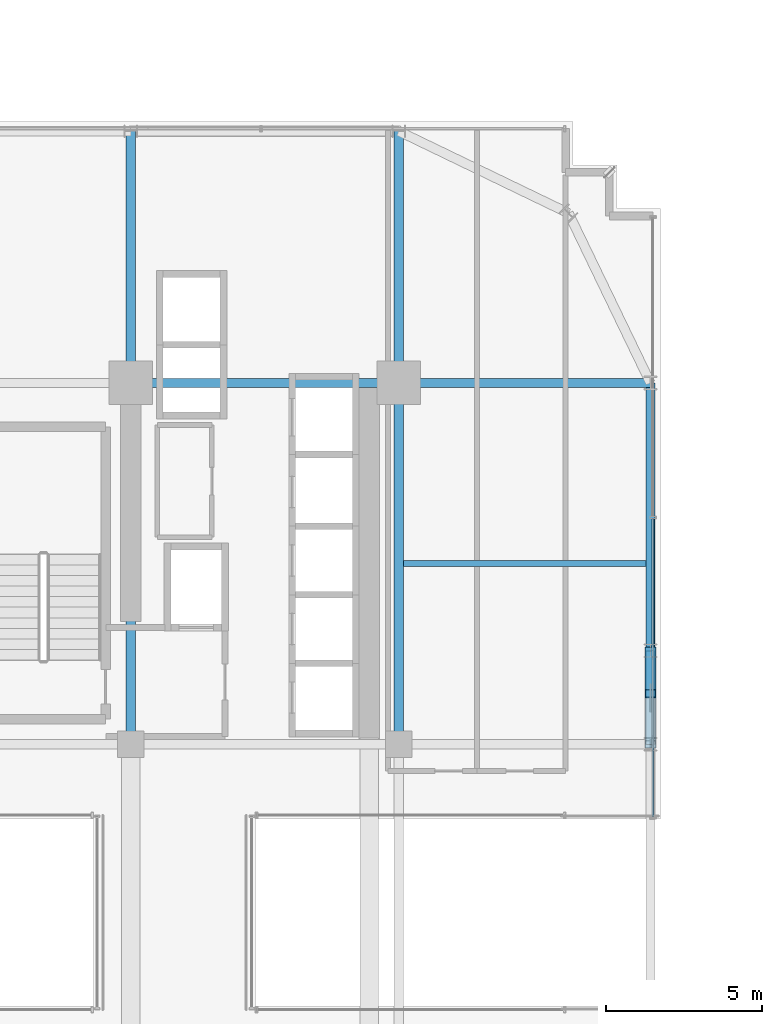
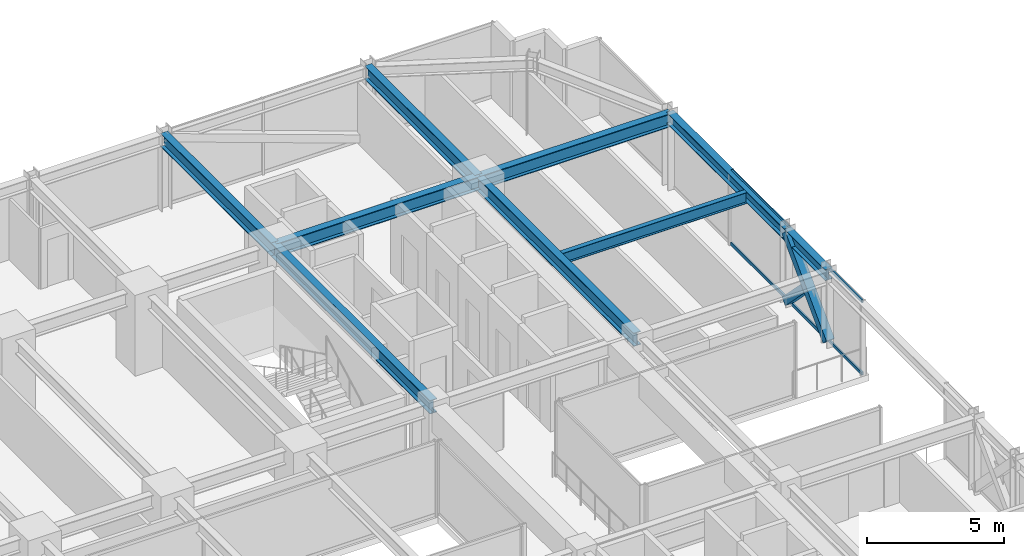
# One storey, part 30 of 47: 9 beams, 4 members, 1 element without a shape of its own.
"""IFC4 building model written with IfcOpenShell, lengths in metres."""

from ifc_helpers import new_model, si_unit, direction, frame, origin, origin_2d, place, context, subcontext, project, spatial, hollow_rectangle, i_section, extrude, source, transform, mapped, material, material_profile, profile_set, type_object, element, aggregate, save


model = new_model("IFC4")

# Units and contexts
model_context = context("Model", 3, precision=1e-05, world=origin(), true_north=direction((0.0, 1.0)))
body_context = subcontext(model_context, "Body", "Model", "MODEL_VIEW")
ifc_project = project(units=[si_unit("LENGTHUNIT", "METRE"), si_unit("AREAUNIT", "SQUARE_METRE"), si_unit("VOLUMEUNIT", "CUBIC_METRE"), si_unit("PLANEANGLEUNIT", "RADIAN"), si_unit("MASSUNIT", "GRAM", prefix="KILO")], contexts=[model_context])

# Site, building, storey
site_placement = place(None, origin())
site = spatial("IfcSite", under=ifc_project, at=site_placement, CompositionType="ELEMENT")
building_placement = place(site_placement, origin())
building = spatial("IfcBuilding", under=site, at=building_placement, Name="Nahalor Promenade Grand Hotel", CompositionType="ELEMENT")
storey_placement = place(building_placement, frame((0.0, 0.0, 68.89990234375)))
storey = spatial("IfcBuildingStorey", under=building, at=storey_placement, Name="L16", CompositionType="ELEMENT", Elevation=68.89990234375)

# Beams
ifc_material_1 = material(Name="Steel S355JR", Category="steel")
ifc_material_profile_1 = material_profile(ifc_material_1, i_section(OverallWidth=0.3, OverallDepth=0.6, WebThickness=0.0155, FlangeThickness=0.03, at=origin_2d()), Name="HEB 600")
ifc_profile_set_1 = profile_set([ifc_material_profile_1], Name="Steel S355JR")
beam_type_1 = type_object("IfcBeamType", Name="Beam-Girder-HEB600", PredefinedType="BEAM", material=ifc_profile_set_1)
shared_shape_1 = source(origin(), body_context, "Body", "SweptSolid", [
    extrude(i_section(OverallWidth=0.3, OverallDepth=0.6, WebThickness=0.0155, FlangeThickness=0.03, at=origin_2d()), origin(), (0.0, 0.0, 1.0), 8.60009765625),
])
beam_1_placement = place(storey_placement, frame((8.39990234375, 17.0, 3.070068359375), z_axis=(1.0, 0.0, 0.0), x_axis=(0.0, 1.0, 0.0)))
element("IfcBeam", 1, at=beam_1_placement, inside=storey, type_object=beam_type_1, Name="BM-L16-GX-3-5", PredefinedType="BEAM", context=body_context, shape_type="MappedRepresentation", body=[
    mapped(shared_shape_1, transform((0.0, 0.0, 0.0), scale=1.0)),
])
shared_shape_2 = source(origin(), body_context, "Body", "SweptSolid", [
    extrude(i_section(OverallWidth=0.3, OverallDepth=0.6, WebThickness=0.0155, FlangeThickness=0.03, at=origin_2d()), origin(), (0.0, 0.0, 1.0), 11.60009765625),
])
for number, where, z_axis, x_axis, name in (
    (2, (8.39990234375, 5.39990234375, 3.070068359375), (0.0, 1.0, 0.0), (-1.0, 0.0, 0.0), "BM-L16-GY-4-3"),
    (3, (17.0, 5.39990234375, 3.070068359375), (0.0, 1.0, 0.0), (-1.0, 0.0, 0.0), "BM-L16-GY-5-3"),
):
    element("IfcBeam", number, at=place(storey_placement, frame(where, z_axis=z_axis, x_axis=x_axis)), inside=storey, type_object=beam_type_1, Name=name, PredefinedType="BEAM", context=body_context, shape_type="MappedRepresentation", body=[
        mapped(shared_shape_2, transform((0.0, 0.0, 0.0), scale=1.0)),
    ])
ifc_material_profile_2 = material_profile(ifc_material_1, i_section(OverallWidth=0.3, OverallDepth=0.5, WebThickness=0.0145, FlangeThickness=0.028, at=origin_2d()), Name="HEB 500")
ifc_profile_set_2 = profile_set([ifc_material_profile_2], Name="Steel S355JR")
beam_type_2 = type_object("IfcBeamType", Name="Beam-Spandrel-HEB500", PredefinedType="SPANDREL", material=ifc_profile_set_2)
shared_shape_3 = source(origin(), body_context, "Body", "SweptSolid", [
    extrude(i_section(OverallWidth=0.3, OverallDepth=0.5, WebThickness=0.0145, FlangeThickness=0.028, at=origin_2d()), origin(), (0.0, 0.0, 1.0), 8.60009765625),
])
beam_2_placement = place(storey_placement, frame((25.080078125, 8.39990234375, 3.1201171875), z_axis=(0.0, 1.0, 0.0), x_axis=(-1.0, 0.0, 0.0)))
element("IfcBeam", 4, at=beam_2_placement, inside=storey, type_object=beam_type_2, Name="BM-L16-SP-E-4", PredefinedType="SPANDREL", context=body_context, shape_type="MappedRepresentation", body=[
    mapped(shared_shape_3, transform((0.0, 0.0, 0.0), scale=1.0)),
])
shared_shape_4 = source(origin(), body_context, "Body", "SweptSolid", [
    extrude(i_section(OverallWidth=0.3, OverallDepth=0.5, WebThickness=0.0145, FlangeThickness=0.028, at=origin_2d()), origin(), (0.0, 0.0, 1.0), 3.0),
])
beam_3_placement = place(storey_placement, frame((25.080078125, 5.39990234375, 3.1201171875), z_axis=(0.0, 1.0, 0.0), x_axis=(-1.0, 0.0, 0.0)))
element("IfcBeam", 5, at=beam_3_placement, inside=storey, type_object=beam_type_2, Name="BM-L16-SP-E-3", PredefinedType="SPANDREL", context=body_context, shape_type="MappedRepresentation", body=[
    mapped(shared_shape_4, transform((0.0, 0.0, 0.0), scale=1.0)),
])
shared_shape_5 = source(origin(), body_context, "Body", "SweptSolid", [
    extrude(i_section(OverallWidth=0.3, OverallDepth=0.6, WebThickness=0.0155, FlangeThickness=0.03, at=origin_2d()), origin(), (0.0, 0.0, 1.0), 8.080078125),
])
for number, where, z_axis, x_axis, name in (
    (6, (17.0, 17.0, 3.070068359375), (1.0, 0.0, 0.0), (0.0, 1.0, 0.0), "BM-L16-GX-3-6"),
    (7, (8.39990234375, 17.0, 3.070068359375), (0.0, 1.0, 0.0), (-1.0, 0.0, 0.0), "BM-L16-GY-4-4"),
    (8, (17.0, 17.0, 3.070068359375), (0.0, 1.0, 0.0), (-1.0, 0.0, 0.0), "BM-L16-GY-5-4"),
):
    element("IfcBeam", number, at=place(storey_placement, frame(where, z_axis=z_axis, x_axis=x_axis)), inside=storey, type_object=beam_type_1, Name=name, PredefinedType="BEAM", context=body_context, shape_type="MappedRepresentation", body=[
        mapped(shared_shape_5, transform((0.0, 0.0, 0.0), scale=1.0)),
    ])
ifc_material_profile_3 = material_profile(ifc_material_1, i_section(OverallWidth=0.2, OverallDepth=0.5, WebThickness=0.0102, FlangeThickness=0.016, at=origin_2d()), Name="IPE 500")
ifc_profile_set_3 = profile_set([ifc_material_profile_3], Name="Steel S355JR")
beam_type_3 = type_object("IfcBeamType", Name="Beam-Joist-IPE500", PredefinedType="JOIST", material=ifc_profile_set_3)
shared_shape_6 = source(origin(), body_context, "Body", "SweptSolid", [
    extrude(i_section(OverallWidth=0.2, OverallDepth=0.5, WebThickness=0.0102, FlangeThickness=0.016, at=origin_2d()), origin(), (0.0, 0.0, 1.0), 7.780029296875),
])
beam_4_placement = place(storey_placement, frame((17.14990234375, 11.199951171875, 3.1201171875), z_axis=(1.0, 0.0, 0.0), x_axis=(0.0, 1.0, 0.0)))
element("IfcBeam", 9, at=beam_4_placement, inside=storey, type_object=beam_type_3, Name="BM-L16-JSE-1-2", PredefinedType="JOIST", context=body_context, shape_type="MappedRepresentation", body=[
    mapped(shared_shape_6, transform((0.0, 0.0, 0.0), scale=1.0)),
])

# Members
ifc_material_profile_4 = material_profile(ifc_material_1, hollow_rectangle(XDim=0.35, YDim=0.35, WallThickness=0.02, at=origin_2d()), Name="SHS 350x350x20")
ifc_profile_set_4 = profile_set([ifc_material_profile_4], Name="Steel S355JR")
member_type_1 = type_object("IfcMemberType", Name="Mem-VoidBrace-SHS350", PredefinedType="BRACE", material=ifc_profile_set_4)
shared_shape_7 = source(origin(), body_context, "Body", "SweptSolid", [
    extrude(hollow_rectangle(XDim=0.35, YDim=0.35, WallThickness=0.02, at=origin_2d()), origin(), (0.0, 0.0, 1.0), 4.29248046875),
])
member_1_placement = place(storey_placement, frame((25.080078125, 5.39990234375, 0.150146484375), z_axis=(0.0, 0.698897904453, 0.715221447631), x_axis=(-1.0, 0.0, 0.0)))
element("IfcMember", 10, at=member_1_placement, inside=storey, type_object=member_type_1, Name="EXO-L16-VX1-E1", PredefinedType="BRACE", context=body_context, shape_type="MappedRepresentation", body=[
    mapped(shared_shape_7, transform((0.0, 0.0, 0.0), scale=1.0)),
])
shared_shape_8 = source(origin(), body_context, "Body", "SweptSolid", [
    extrude(hollow_rectangle(XDim=0.35, YDim=0.35, WallThickness=0.02, at=origin_2d()), origin(), (0.0, 0.0, 1.0), 1.958984375),
])
member_2_placement = place(storey_placement, frame((25.080078125, 8.39990234375, 0.150146484375), z_axis=(0.0, -0.698896728293, 0.715222596946), x_axis=(1.0, 0.0, 0.0)))
element("IfcMember", 11, at=member_2_placement, inside=storey, type_object=member_type_1, Name="EXO-L16-VX2-E1A", PredefinedType="BRACE", context=body_context, shape_type="MappedRepresentation", body=[
    mapped(shared_shape_8, transform((0.0, 0.0, 0.0), scale=1.0)),
])

# Curtain wall, members
ifc_material_2 = material(Name="Anodised Bronze Aluminium EN AW-6063 T6", Category="aluminium")
curtain_wall_type = type_object("IfcCurtainWallType", Name="CW3 Elliptical-Void Collar Unitised Curtain Wall", PredefinedType="USERDEFINED", material=ifc_material_2)
curtain_wall_placement = place(storey_placement, origin())
curtain_wall = element("IfcCurtainWall", 12, at=curtain_wall_placement, inside=storey, type_object=curtain_wall_type, Name="L16 Curtain Wall CW-L16-E-4", ObjectType="UNITISED_CURTAIN_WALL", PredefinedType="USERDEFINED")
ifc_material_profile_5 = material_profile(ifc_material_2, hollow_rectangle(XDim=0.07, YDim=0.14, WallThickness=0.004, at=origin_2d()), Name="CWT 70x140x4")
ifc_profile_set_5 = profile_set([ifc_material_profile_5], Name="Anodised Bronze Aluminium EN AW-6063 T6")
member_type_2 = type_object("IfcMemberType", Name="CWT3 Void Collar Transom 70x140", PredefinedType="USERDEFINED", material=ifc_profile_set_5)
shared_shape_9 = source(origin(), body_context, "Body", "SweptSolid", [
    extrude(hollow_rectangle(XDim=0.07, YDim=0.14, WallThickness=0.004, at=origin_2d()), origin(), (0.0, 0.0, 1.0), 9.575439453125),
])
member_3_placement = place(storey_placement, frame((25.159912109375, 3.069091796875, 0.070068359375), z_axis=(0.0, 1.0, 0.0), x_axis=(-1.0, 0.0, 0.0)))
member_3 = element("IfcMember", 13, at=member_3_placement, type_object=member_type_2, Name="CW-L16-E-4 Transom 0-0", ObjectType="TRANSOM", PredefinedType="USERDEFINED", context=body_context, shape_type="MappedRepresentation", body=[
    mapped(shared_shape_9, transform((0.0, 0.0, 0.0), scale=1.0)),
])
member_4_placement = place(storey_placement, frame((25.159912109375, 3.069091796875, 3.300048828125), z_axis=(0.0, 1.0, 0.0), x_axis=(-1.0, 0.0, 0.0)))
member_4 = element("IfcMember", 14, at=member_4_placement, type_object=member_type_2, Name="CW-L16-E-4 Transom 0-1", ObjectType="TRANSOM", PredefinedType="USERDEFINED", context=body_context, shape_type="MappedRepresentation", body=[
    mapped(shared_shape_9, transform((0.0, 0.0, 0.0), scale=1.0)),
])
aggregate(curtain_wall, [member_3, member_4])

save(model, "model.ifc")
